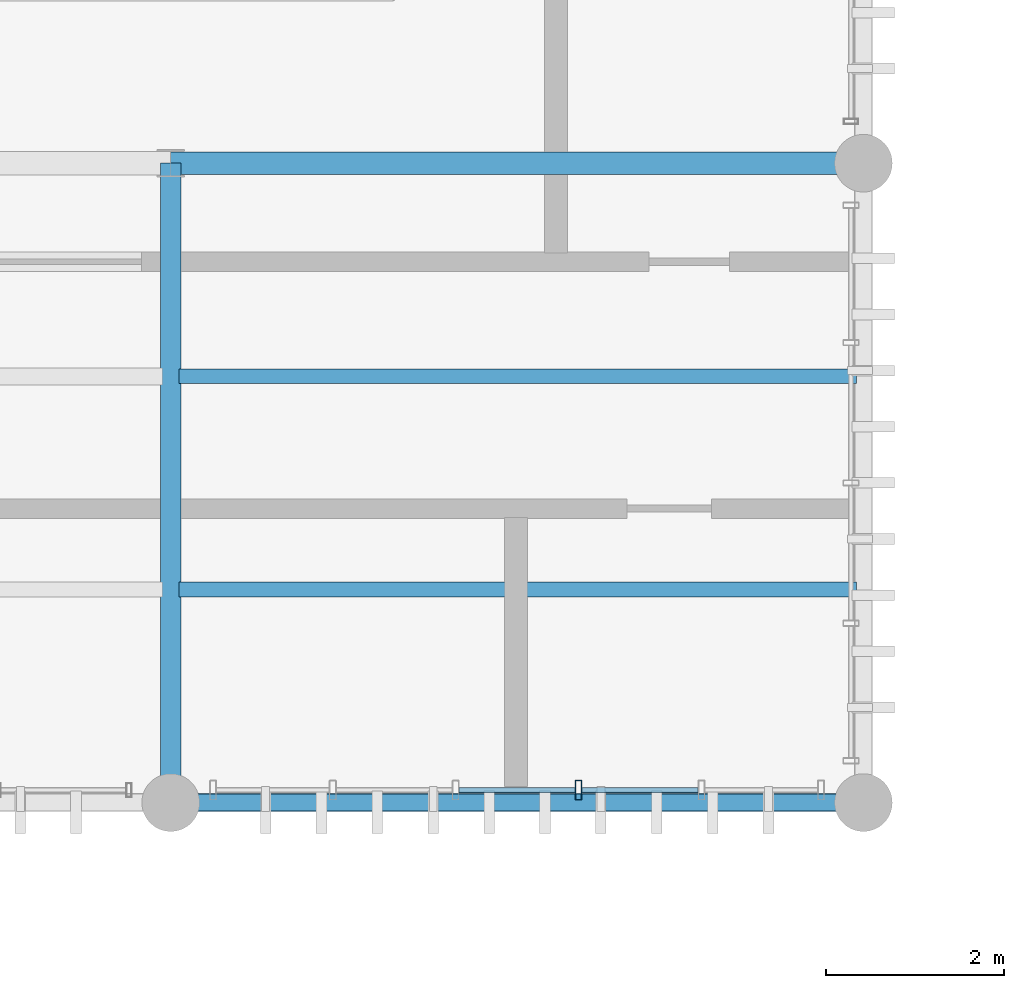
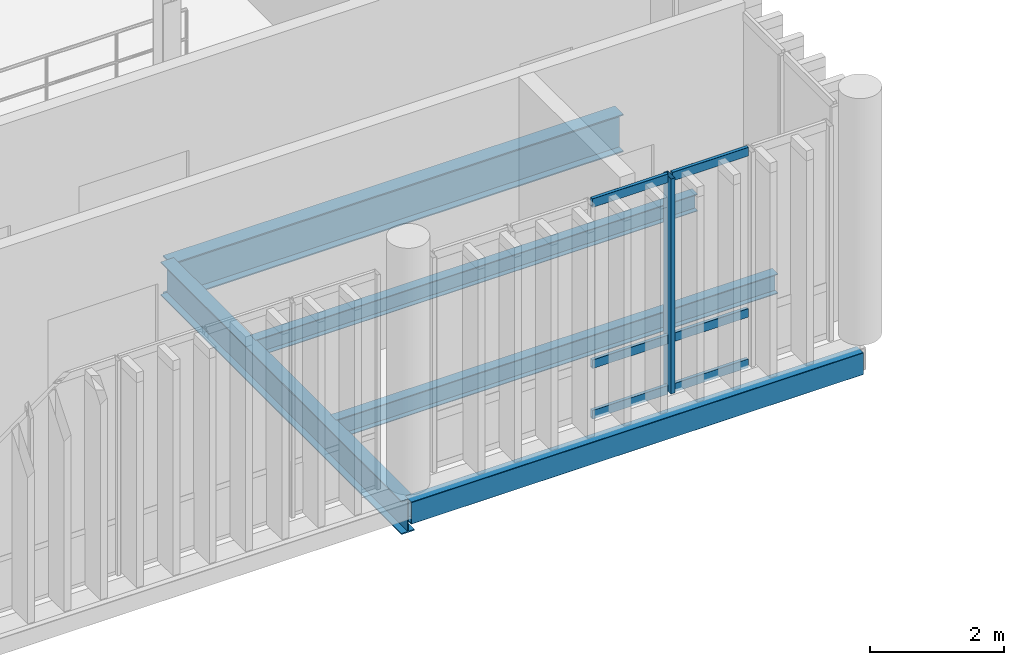
# One storey, part 26 of 66: 7 members, 5 beams, 1 element without a shape of its own.
"""IFC4 building model written with IfcOpenShell, lengths in metres."""

from ifc_helpers import new_model, si_unit, direction, frame, origin_with_axes, origin_2d_with_axis, place, context, subcontext, project, spatial, hollow_rectangle, i_section, extrude, material, material_profile, profile_set, type_object, element, aggregate, save


model = new_model("IFC4")

# Units and contexts
model_context = context("Model", 3, precision=1e-05, world=origin_with_axes(), true_north=direction((0.0, 1.0)))
body_context = subcontext(model_context, "Body", "Model", "MODEL_VIEW")
ifc_project = project(units=[si_unit("LENGTHUNIT", "METRE"), si_unit("AREAUNIT", "SQUARE_METRE"), si_unit("VOLUMEUNIT", "CUBIC_METRE"), si_unit("PLANEANGLEUNIT", "RADIAN"), si_unit("MASSUNIT", "GRAM", prefix="KILO"), si_unit("THERMODYNAMICTEMPERATUREUNIT", "KELVIN")], contexts=[model_context])

# Site, building, storey
site_placement = place(None, origin_with_axes())
site = spatial("IfcSite", under=ifc_project, at=site_placement, CompositionType="ELEMENT")
building_placement = place(site_placement, origin_with_axes())
building = spatial("IfcBuilding", under=site, at=building_placement, Name="Montbau Bow Law Courts", CompositionType="ELEMENT")
storey_placement = place(building_placement, frame((0.0, 0.0, 34.5), z_axis=(0.0, 0.0, 1.0), x_axis=(1.0, 0.0, 0.0)))
storey = spatial("IfcBuildingStorey", under=building, at=storey_placement, Name="L07", CompositionType="ELEMENT", Elevation=34.5)

# Beams
ifc_material_1 = material(Name="Steel CSA G40.21 Grade 350W (350 MPa)", Category="steel")
ifc_material_profile_1 = material_profile(ifc_material_1, i_section(OverallWidth=0.254, OverallDepth=0.688, WebThickness=0.0131, FlangeThickness=0.0211, at=origin_2d_with_axis()), Name="W690X152", Category="Main", Priority=0)
ifc_profile_set_1 = profile_set([ifc_material_profile_1], Name="Steel CSA G40.21 Grade 350W (350 MPa)")
beam_type_1 = type_object("IfcBeamType", Name="B-FLR-04", PredefinedType="BEAM", material=ifc_profile_set_1)
beam_1_placement = place(None, frame((97.2, 46.2, 33.856), z_axis=(1.0, 0.0, 0.0), x_axis=(0.0, 1.0, 0.0)))
element("IfcBeam", 1, at=beam_1_placement, inside=storey, type_object=beam_type_1, Name="BM-L07-S1029:bm2_1032", PredefinedType="BEAM", context=body_context, shape_type="SweptSolid", body=[
    extrude(i_section(OverallWidth=0.254, OverallDepth=0.688, WebThickness=0.0131, FlangeThickness=0.0211, at=origin_2d_with_axis()), origin_with_axes(), (0.0, 0.0, 1.0), 7.8),
])
ifc_material_profile_2 = material_profile(ifc_material_1, i_section(OverallWidth=0.229, OverallDepth=0.612, WebThickness=0.0119, FlangeThickness=0.0196, at=origin_2d_with_axis()), Name="W610X125", Category="Main", Priority=0)
ifc_profile_set_2 = profile_set([ifc_material_profile_2], Name="Steel CSA G40.21 Grade 350W (350 MPa)")
beam_type_2 = type_object("IfcBeamType", Name="B-FLR-05", PredefinedType="BEAM", material=ifc_profile_set_2)
beam_2_placement = place(None, frame((97.2, 39.0, 33.894), z_axis=(0.0, 1.0, 0.0), x_axis=(-1.0, 0.0, 0.0)))
element("IfcBeam", 2, at=beam_2_placement, inside=storey, type_object=beam_type_2, Name="BM-L07-S1056:bm2_1059", PredefinedType="BEAM", context=body_context, shape_type="SweptSolid", body=[
    extrude(i_section(OverallWidth=0.229, OverallDepth=0.612, WebThickness=0.0119, FlangeThickness=0.0196, at=origin_2d_with_axis()), origin_with_axes(), (0.0, 0.0, 1.0), 7.2),
])
ifc_material_profile_3 = material_profile(ifc_material_1, i_section(OverallWidth=0.172, OverallDepth=0.358, WebThickness=0.0079, FlangeThickness=0.0131, at=origin_2d_with_axis()), Name="W360X57", Category="Main", Priority=0)
ifc_profile_set_3 = profile_set([ifc_material_profile_3], Name="Steel CSA G40.21 Grade 350W (350 MPa)")
beam_type_3 = type_object("IfcBeamType", Name="B-JST-03", PredefinedType="JOIST", material=ifc_profile_set_3)
beam_3_placement = place(None, frame((97.291, 41.4, 34.021), z_axis=(1.0, 0.0, 0.0), x_axis=(0.0, 1.0, 0.0)))
element("IfcBeam", 3, at=beam_3_placement, inside=storey, type_object=beam_type_3, Name="JST-L07-S0542:jst2_0542", PredefinedType="JOIST", context=body_context, shape_type="SweptSolid", body=[
    extrude(i_section(OverallWidth=0.172, OverallDepth=0.358, WebThickness=0.0079, FlangeThickness=0.0131, at=origin_2d_with_axis()), origin_with_axes(), (0.0, 0.0, 1.0), 7.629),
])
ifc_material_profile_4 = material_profile(ifc_material_1, i_section(OverallWidth=0.166, OverallDepth=0.313, WebThickness=0.0066, FlangeThickness=0.0112, at=origin_2d_with_axis()), Name="W310X45", Category="Main", Priority=0)
ifc_profile_set_4 = profile_set([ifc_material_profile_4], Name="Steel CSA G40.21 Grade 350W (350 MPa)")
beam_type_4 = type_object("IfcBeamType", Name="B-JST-04", PredefinedType="JOIST", material=ifc_profile_set_4)
beam_4_placement = place(None, frame((97.291, 43.8, 34.044), z_axis=(1.0, 0.0, 0.0), x_axis=(0.0, 1.0, 0.0)))
element("IfcBeam", 4, at=beam_4_placement, inside=storey, type_object=beam_type_4, Name="JST-L07-S0543:jst2_0543", PredefinedType="JOIST", context=body_context, shape_type="SweptSolid", body=[
    extrude(i_section(OverallWidth=0.166, OverallDepth=0.313, WebThickness=0.0066, FlangeThickness=0.0112, at=origin_2d_with_axis()), origin_with_axes(), (0.0, 0.0, 1.0), 7.629),
])
ifc_material_2 = material(Name="Steel CSA G40.21 Grade 350WT (350 MPa)", Category="steel")
ifc_material_profile_5 = material_profile(ifc_material_2, hollow_rectangle(XDim=0.203, YDim=0.406, WallThickness=0.0127, InnerFilletRadius=0.0254, OuterFilletRadius=0.0127, at=origin_2d_with_axis()), Name="HSS406X203X13", Category="Main", Priority=0)
ifc_profile_set_5 = profile_set([ifc_material_profile_5], Name="Steel CSA G40.21 Grade 350WT (350 MPa)")
beam_type_5 = type_object("IfcBeamType", Name="B-SPN-01", PredefinedType="SPANDREL", material=ifc_profile_set_5)
beam_5_placement = place(None, frame((97.2, 39.0, 33.997), z_axis=(1.0, 0.0, 0.0), x_axis=(0.0, 1.0, 0.0)))
element("IfcBeam", 5, at=beam_5_placement, inside=storey, type_object=beam_type_5, Name="SPN-L07-S1023:bm2_1026", PredefinedType="SPANDREL", context=body_context, shape_type="SweptSolid", body=[
    extrude(hollow_rectangle(XDim=0.203, YDim=0.406, WallThickness=0.0127, InnerFilletRadius=0.0254, OuterFilletRadius=0.0127, at=origin_2d_with_axis()), origin_with_axes(), (0.0, 0.0, 1.0), 7.8),
])

# Curtain wall, members
ifc_material_3 = material(Name="Thermally Broken Extruded Aluminium AA 6063-T6", Category="aluminium")
curtain_wall_type = type_object("IfcCurtainWallType", Name="CW-CRM-02", PredefinedType="NOTDEFINED", material=ifc_material_3)
curtain_wall_placement = place(None, frame((97.64, 39.14, 34.5), z_axis=(0.0, 0.0, 1.0), x_axis=(1.0, 0.0, 0.0)))
curtain_wall = element("IfcCurtainWall", 6, at=curtain_wall_placement, inside=storey, type_object=curtain_wall_type, Name="CW-L07-246:cw_0246", PredefinedType="NOTDEFINED")
ifc_material_profile_6 = material_profile(ifc_material_3, hollow_rectangle(XDim=0.075, YDim=0.22, WallThickness=0.005, InnerFilletRadius=0.01, OuterFilletRadius=0.005, at=origin_2d_with_axis()), Name="CWM-220X75", Category="Main", Priority=0)
ifc_profile_set_6 = profile_set([ifc_material_profile_6], Name="Thermally Broken Extruded Aluminium AA 6063-T6")
member_type_1 = type_object("IfcMemberType", Name="M-MUL-01", PredefinedType="MULLION", material=ifc_profile_set_6)
member_1_placement = place(None, frame((101.792, 39.14, 34.5), z_axis=(0.0, 0.0, 1.0), x_axis=(1.0, 0.0, 0.0)))
member_1 = element("IfcMember", 7, at=member_1_placement, type_object=member_type_1, Name="CW-L07-246-M04:cw_0246_M04", PredefinedType="MULLION", context=body_context, shape_type="SweptSolid", body=[
    extrude(hollow_rectangle(XDim=0.075, YDim=0.22, WallThickness=0.005, InnerFilletRadius=0.01, OuterFilletRadius=0.005, at=origin_2d_with_axis()), origin_with_axes(), (0.0, 0.0, 1.0), 3.92),
])
ifc_material_profile_7 = material_profile(ifc_material_3, hollow_rectangle(XDim=0.06, YDim=0.16, WallThickness=0.004, InnerFilletRadius=0.008, OuterFilletRadius=0.004, at=origin_2d_with_axis()), Name="CWT-160X60", Category="Main", Priority=0)
ifc_profile_set_7 = profile_set([ifc_material_profile_7], Name="Thermally Broken Extruded Aluminium AA 6063-T6")
member_type_2 = type_object("IfcMemberType", Name="M-TRN-01", PredefinedType="USERDEFINED", material=ifc_profile_set_7)
member_2_placement = place(None, frame((100.447, 39.14, 34.53), z_axis=(1.0, 0.0, 0.0), x_axis=(0.0, 1.0, 0.0)))
member_2 = element("IfcMember", 8, at=member_2_placement, type_object=member_type_2, Name="CW-L07-246-T03-1:cw_0246_T03_1", ObjectType="TRANSOM", PredefinedType="USERDEFINED", context=body_context, shape_type="SweptSolid", body=[
    extrude(hollow_rectangle(XDim=0.06, YDim=0.16, WallThickness=0.004, InnerFilletRadius=0.008, OuterFilletRadius=0.004, at=origin_2d_with_axis()), origin_with_axes(), (0.0, 0.0, 1.0), 1.306),
])
member_3_placement = place(None, frame((100.447, 39.14, 35.45), z_axis=(1.0, 0.0, 0.0), x_axis=(0.0, 1.0, 0.0)))
member_3 = element("IfcMember", 9, at=member_3_placement, type_object=member_type_2, Name="CW-L07-246-T03-2:cw_0246_T03_2", ObjectType="TRANSOM", PredefinedType="USERDEFINED", context=body_context, shape_type="SweptSolid", body=[
    extrude(hollow_rectangle(XDim=0.06, YDim=0.16, WallThickness=0.004, InnerFilletRadius=0.008, OuterFilletRadius=0.004, at=origin_2d_with_axis()), origin_with_axes(), (0.0, 0.0, 1.0), 1.306),
])
member_4_placement = place(None, frame((100.447, 39.14, 38.39), z_axis=(1.0, 0.0, 0.0), x_axis=(0.0, 1.0, 0.0)))
member_4 = element("IfcMember", 10, at=member_4_placement, type_object=member_type_2, Name="CW-L07-246-T03-3:cw_0246_T03_3", ObjectType="TRANSOM", PredefinedType="USERDEFINED", context=body_context, shape_type="SweptSolid", body=[
    extrude(hollow_rectangle(XDim=0.06, YDim=0.16, WallThickness=0.004, InnerFilletRadius=0.008, OuterFilletRadius=0.004, at=origin_2d_with_axis()), origin_with_axes(), (0.0, 0.0, 1.0), 1.306),
])
member_5_placement = place(None, frame((101.831, 39.14, 34.53), z_axis=(1.0, 0.0, 0.0), x_axis=(0.0, 1.0, 0.0)))
member_5 = element("IfcMember", 11, at=member_5_placement, type_object=member_type_2, Name="CW-L07-246-T04-1:cw_0246_T04_1", ObjectType="TRANSOM", PredefinedType="USERDEFINED", context=body_context, shape_type="SweptSolid", body=[
    extrude(hollow_rectangle(XDim=0.06, YDim=0.16, WallThickness=0.004, InnerFilletRadius=0.008, OuterFilletRadius=0.004, at=origin_2d_with_axis()), origin_with_axes(), (0.0, 0.0, 1.0), 1.306),
])
member_6_placement = place(None, frame((101.831, 39.14, 35.45), z_axis=(1.0, 0.0, 0.0), x_axis=(0.0, 1.0, 0.0)))
member_6 = element("IfcMember", 12, at=member_6_placement, type_object=member_type_2, Name="CW-L07-246-T04-2:cw_0246_T04_2", ObjectType="TRANSOM", PredefinedType="USERDEFINED", context=body_context, shape_type="SweptSolid", body=[
    extrude(hollow_rectangle(XDim=0.06, YDim=0.16, WallThickness=0.004, InnerFilletRadius=0.008, OuterFilletRadius=0.004, at=origin_2d_with_axis()), origin_with_axes(), (0.0, 0.0, 1.0), 1.306),
])
member_7_placement = place(None, frame((101.831, 39.14, 38.39), z_axis=(1.0, 0.0, 0.0), x_axis=(0.0, 1.0, 0.0)))
member_7 = element("IfcMember", 13, at=member_7_placement, type_object=member_type_2, Name="CW-L07-246-T04-3:cw_0246_T04_3", ObjectType="TRANSOM", PredefinedType="USERDEFINED", context=body_context, shape_type="SweptSolid", body=[
    extrude(hollow_rectangle(XDim=0.06, YDim=0.16, WallThickness=0.004, InnerFilletRadius=0.008, OuterFilletRadius=0.004, at=origin_2d_with_axis()), origin_with_axes(), (0.0, 0.0, 1.0), 1.306),
])
aggregate(curtain_wall, [member_1, member_2, member_3, member_4, member_5, member_6, member_7])

save(model, "model.ifc")
